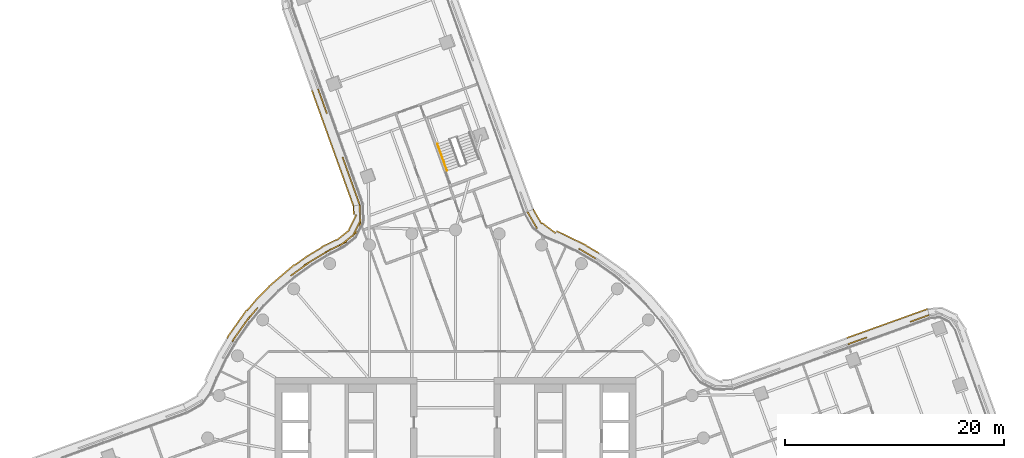
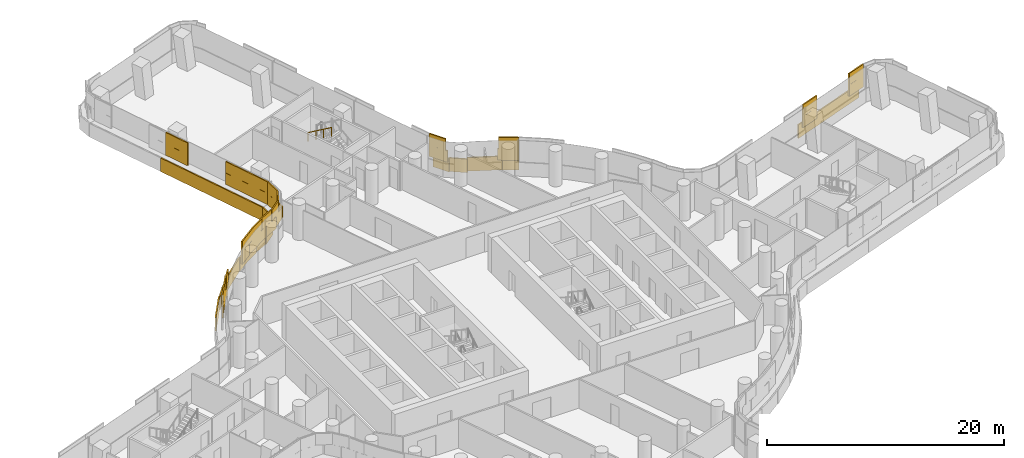
# One storey, part 29 of 30: 4 coverings, 1 railing.
"""IFC4 building model written with IfcOpenShell, lengths in metres."""

from ifc_helpers import new_model, si_unit, direction, frame, origin, origin_2d, place, context, subcontext, project, spatial, rectangle, circle, extrude, material, layer, layer_set, type_object, element, save


model = new_model("IFC4")

# Units and contexts
model_context = context("Model", 3, precision=1e-05, world=origin(), true_north=direction((0.0, 1.0)))
body_context = subcontext(model_context, "Body", "Model", "MODEL_VIEW")
ifc_project = project(units=[si_unit("LENGTHUNIT", "METRE"), si_unit("AREAUNIT", "SQUARE_METRE"), si_unit("VOLUMEUNIT", "CUBIC_METRE"), si_unit("PLANEANGLEUNIT", "RADIAN"), si_unit("MASSUNIT", "GRAM", prefix="KILO")], contexts=[model_context])

# Site, building, storey
site_placement = place(None, origin())
site = spatial("IfcSite", under=ifc_project, at=site_placement, CompositionType="ELEMENT")
building_placement = place(site_placement, origin())
building = spatial("IfcBuilding", under=site, at=building_placement, Name="Tamarind Cross Interchange Tower", CompositionType="ELEMENT")
storey_placement = place(building_placement, frame((0.0, 0.0, 106.0)))
storey = spatial("IfcBuildingStorey", under=building, at=storey_placement, Name="L25", CompositionType="ELEMENT", Elevation=106.0)

# Railing
ifc_material_1 = material(Name="Stair handrail")
railing_type = type_object("IfcRailingType", Name="Stair handrail", PredefinedType="HANDRAIL", material=ifc_material_1)
railing_placement = place(storey_placement, frame((-1.658447265625, 30.863525390625, 2.04541015625)))
element("IfcRailing", 1, at=railing_placement, inside=storey, type_object=railing_type, Name="L25 ST4 stair handrail 2", PredefinedType="HANDRAIL", context=body_context, shape_type="SweptSolid", body=[
    extrude(circle(Radius=0.02392578125, at=origin_2d()), frame((0.0, 0.0, 0.8759765625), z_axis=(0.284028229763, -0.786594077285, 0.548267929281), x_axis=(0.940561398365, 0.339623697503, 0.0)), (0.0, 0.0, 1.0), 3.109130859375),
    extrude(circle(Radius=0.02099609375, at=origin_2d()), origin(), (0.0, 0.0, 1.0), 0.851806640625),
    extrude(circle(Radius=0.02099609375, at=origin_2d()), frame((0.29443359375, -0.815185546875, 0.568115234375)), (0.0, 0.0, 1.0), 0.851806640625),
    extrude(circle(Radius=0.02099609375, at=origin_2d()), frame((0.588623046875, -1.63037109375, 1.136474609375)), (0.0, 0.0, 1.0), 0.851806640625),
    extrude(circle(Radius=0.02099609375, at=origin_2d()), frame((0.883056640625, -2.445556640625, 1.70458984375)), (0.0, 0.0, 1.0), 0.851806640625),
])

# Coverings
ifc_material_2 = material(Name="Terracotta", Category="masonry")
ifc_layer = layer(ifc_material_2, 0.1201171875)
ifc_layer_set = layer_set([ifc_layer], Name="Terracotta")
covering_type = type_object("IfcCoveringType", Name="Terracotta baguette screen unit", PredefinedType="MOLDING", material=ifc_layer_set)
covering_1_placement = place(storey_placement, origin())
element("IfcCovering", 2, at=covering_1_placement, inside=storey, type_object=covering_type, Name="SCR-L25-09-00", PredefinedType="MOLDING", context=body_context, shape_type="SweptSolid", body=[
    extrude(rectangle(XDim=0.760009765625, YDim=0.1201171875, at=origin_2d()), frame((42.922607421875, 15.09228515625, 1.404052734375), z_axis=(0.0, 0.0, 1.0), x_axis=(-0.941099800074, -0.338128919647, 0.0)), (0.0, 0.0, 1.0), 1.1669921875),
    extrude(rectangle(XDim=1.09326171875, YDim=0.1201171875, at=origin_2d()), frame((42.06005859375, 14.7822265625, 1.404052734375), z_axis=(0.0, 0.0, 1.0), x_axis=(-0.941099800074, -0.338128919647, 0.0)), (0.0, 0.0, 1.0), 1.1669921875),
    extrude(rectangle(XDim=0.726806640625, YDim=0.1201171875, at=origin_2d()), frame((37.260498046875, 13.057861328125, 1.404052734375), z_axis=(0.0, 0.0, 1.0), x_axis=(-0.941099800074, -0.338128919647, 0.0)), (0.0, 0.0, 1.0), 1.1669921875),
    extrude(rectangle(XDim=1.12646484375, YDim=0.1201171875, at=origin_2d()), frame((36.397705078125, 12.748046875, 1.404052734375), z_axis=(0.0, 0.0, 1.0), x_axis=(-0.941099800074, -0.338128919647, 0.0)), (0.0, 0.0, 1.0), 1.1669921875),
    extrude(rectangle(XDim=1.510009765625, YDim=0.1201171875, at=origin_2d()), frame((42.56982421875, 14.965576171875, 2.5791015625), z_axis=(0.0, 0.0, 1.0), x_axis=(-0.941099800074, -0.338128919647, 0.0)), (0.0, 0.0, 1.0), 1.1669921875),
    extrude(rectangle(XDim=0.34326171875, YDim=0.1201171875, at=origin_2d()), frame((41.70703125, 14.655517578125, 2.5791015625), z_axis=(0.0, 0.0, 1.0), x_axis=(-0.941099800074, -0.338128919647, 0.0)), (0.0, 0.0, 1.0), 1.1669921875),
    extrude(rectangle(XDim=1.476806640625, YDim=0.1201171875, at=origin_2d()), frame((36.907470703125, 12.93115234375, 2.5791015625), z_axis=(0.0, 0.0, 1.0), x_axis=(-0.941099800074, -0.338128919647, 0.0)), (0.0, 0.0, 1.0), 1.1669921875),
    extrude(rectangle(XDim=0.37646484375, YDim=0.1201171875, at=origin_2d()), frame((36.044921875, 12.62109375, 2.5791015625), z_axis=(0.0, 0.0, 1.0), x_axis=(-0.941099800074, -0.338128919647, 0.0)), (0.0, 0.0, 1.0), 1.1669921875),
    extrude(rectangle(XDim=0.760009765625, YDim=0.1201171875, at=origin_2d()), frame((42.794677734375, 15.65625, 0.00390625), z_axis=(0.0, 0.0, 1.0), x_axis=(-0.941099800074, -0.338128919647, 0.0)), (0.0, 0.0, 1.0), 1.39208984375),
    extrude(rectangle(XDim=1.52001953125, YDim=0.1201171875, at=origin_2d()), frame((41.740478515625, 15.27734375, 0.00390625), z_axis=(0.0, 0.0, 1.0), x_axis=(-0.941099800074, -0.338128919647, 0.0)), (0.0, 0.0, 1.0), 1.39208984375),
    extrude(rectangle(XDim=1.52001953125, YDim=0.1201171875, at=origin_2d()), frame((40.328857421875, 14.770263671875, 0.00390625), z_axis=(0.0, 0.0, 1.0), x_axis=(-0.941099800074, -0.338128919647, 0.0)), (0.0, 0.0, 1.0), 1.39208984375),
    extrude(rectangle(XDim=1.52001953125, YDim=0.1201171875, at=origin_2d()), frame((38.917236328125, 14.26318359375, 0.00390625), z_axis=(0.0, 0.0, 1.0), x_axis=(-0.941099800074, -0.338128919647, 0.0)), (0.0, 0.0, 1.0), 1.39208984375),
    extrude(rectangle(XDim=1.52001953125, YDim=0.1201171875, at=origin_2d()), frame((37.505615234375, 13.755859375, 0.00390625), z_axis=(0.0, 0.0, 1.0), x_axis=(-0.941099800074, -0.338128919647, 0.0)), (0.0, 0.0, 1.0), 1.39208984375),
    extrude(rectangle(XDim=1.11962890625, YDim=0.1201171875, at=origin_2d()), frame((36.2822265625, 13.31640625, 0.00390625), z_axis=(0.0, 0.0, 1.0), x_axis=(-0.941099800074, -0.338128919647, 0.0)), (0.0, 0.0, 1.0), 1.39208984375),
])
covering_2_placement = place(storey_placement, origin())
element("IfcCovering", 3, at=covering_2_placement, inside=storey, type_object=covering_type, Name="SCR-L25-10-01", PredefinedType="MOLDING", context=body_context, shape_type="SweptSolid", body=[
    extrude(rectangle(XDim=0.937744140625, YDim=0.1201171875, at=origin_2d()), frame((12.394775390625, 20.62890625, 1.404052734375), z_axis=(0.0, 0.0, 1.0), x_axis=(-0.861248933065, 0.508183308752, 0.0)), (0.0, 0.0, 1.0), 1.1669921875),
    extrude(rectangle(XDim=0.85595703125, YDim=0.1201171875, at=origin_2d()), frame((11.630859375, 21.07958984375, 1.404052734375), z_axis=(0.0, 0.0, 1.0), x_axis=(-0.861248933065, 0.508183308752, 0.0)), (0.0, 0.0, 1.0), 1.1669921875),
    extrude(rectangle(XDim=0.9638671875, YDim=0.1201171875, at=origin_2d()), frame((7.216064453125, 23.53369140625, 1.404052734375), z_axis=(0.0, 0.0, 1.0), x_axis=(-0.500591596881, 0.86568357564, 0.0)), (0.0, 0.0, 1.0), 1.1669921875),
    extrude(rectangle(XDim=0.829833984375, YDim=0.1201171875, at=origin_2d()), frame((6.77490234375, 24.302978515625, 1.404052734375), z_axis=(0.0, 0.0, 1.0), x_axis=(-0.483040950058, 0.875597761856, 0.0)), (0.0, 0.0, 1.0), 1.1669921875),
    extrude(rectangle(XDim=0.187744140625, YDim=0.1201171875, at=origin_2d()), frame((12.7177734375, 20.438232421875, 2.5791015625), z_axis=(0.0, 0.0, 1.0), x_axis=(-0.861248933065, 0.508183308752, 0.0)), (0.0, 0.0, 1.0), 1.1669921875),
    extrude(rectangle(XDim=1.52001953125, YDim=0.1201171875, at=origin_2d()), frame((11.995361328125, 20.86474609375, 2.5791015625), z_axis=(0.0, 0.0, 1.0), x_axis=(-0.861248933065, 0.508183308752, 0.0)), (0.0, 0.0, 1.0), 1.1669921875),
    extrude(rectangle(XDim=1.52001953125, YDim=0.1201171875, at=origin_2d()), frame((6.977294921875, 23.946533203125, 2.5791015625), z_axis=(0.0, 0.0, 1.0), x_axis=(-0.500591596881, 0.86568357564, 0.0)), (0.0, 0.0, 1.0), 1.1669921875),
    extrude(rectangle(XDim=0.079833984375, YDim=0.1201171875, at=origin_2d()), frame((6.59375, 24.63134765625, 2.5791015625), z_axis=(0.0, 0.0, 1.0), x_axis=(-0.483040950058, 0.875597761856, 0.0)), (0.0, 0.0, 1.0), 1.1669921875),
    extrude(rectangle(XDim=1.37744140625, YDim=0.1201171875, at=origin_2d()), frame((12.50634765625, 21.2294921875, 0.00390625), z_axis=(0.0, 0.0, 1.0), x_axis=(-0.861248933065, 0.508183308752, 0.0)), (0.0, 0.0, 1.0), 1.39208984375),
    extrude(rectangle(XDim=1.52001953125, YDim=0.1201171875, at=origin_2d()), frame((11.25927734375, 21.924560546875, 0.00390625), z_axis=(0.0, 0.0, 1.0), x_axis=(-0.900272776334, 0.435326231914, 0.0)), (0.0, 0.0, 1.0), 1.39208984375),
    extrude(rectangle(XDim=1.52001953125, YDim=0.1201171875, at=origin_2d()), frame((9.908935546875, 22.577392578125, 0.00390625), z_axis=(0.0, 0.0, 1.0), x_axis=(-0.900272776334, 0.435326231914, 0.0)), (0.0, 0.0, 1.0), 1.39208984375),
    extrude(rectangle(XDim=1.52001953125, YDim=0.1201171875, at=origin_2d()), frame((8.53125, 23.169189453125, 0.00390625), z_axis=(0.0, 0.0, 1.0), x_axis=(-0.795747942698, 0.605627948242, 0.0)), (0.0, 0.0, 1.0), 1.39208984375),
    extrude(rectangle(XDim=1.52001953125, YDim=0.1201171875, at=origin_2d()), frame((7.488037109375, 24.2099609375, 0.00390625), z_axis=(0.0, 0.0, 1.0), x_axis=(-0.500591596881, 0.86568357564, 0.0)), (0.0, 0.0, 1.0), 1.39208984375),
    extrude(rectangle(XDim=0.050537109375, YDim=0.1201171875, at=origin_2d()), frame((7.113525390625, 24.87744140625, 0.00390625), z_axis=(0.0, 0.0, 1.0), x_axis=(-0.483040950058, 0.875597761856, 0.0)), (0.0, 0.0, 1.0), 1.39208984375),
])
covering_3_placement = place(storey_placement, origin())
element("IfcCovering", 4, at=covering_3_placement, inside=storey, type_object=covering_type, Name="SCR-L25-13-01", PredefinedType="MOLDING", context=body_context, shape_type="SweptSolid", body=[
    extrude(rectangle(XDim=0.3935546875, YDim=0.1201171875, at=origin_2d()), frame((-12.494384765625, 35.69189453125, 1.404052734375), z_axis=(0.0, 0.0, 1.0), x_axis=(0.338128919647, -0.941099800074, 0.0)), (0.0, 0.0, 1.0), 1.1669921875),
    extrude(rectangle(XDim=1.52001953125, YDim=0.1201171875, at=origin_2d()), frame((-12.17578125, 34.8056640625, 1.404052734375), z_axis=(0.0, 0.0, 1.0), x_axis=(0.338128919647, -0.941099800074, 0.0)), (0.0, 0.0, 1.0), 1.1669921875),
    extrude(rectangle(XDim=0.52587890625, YDim=0.1201171875, at=origin_2d()), frame((-11.835205078125, 33.857177734375, 1.404052734375), z_axis=(0.0, 0.0, 1.0), x_axis=(0.338128919647, -0.941099800074, 0.0)), (0.0, 0.0, 1.0), 1.1669921875),
    extrude(rectangle(XDim=1.294189453125, YDim=0.1201171875, at=origin_2d()), frame((-10.110595703125, 29.0576171875, 1.404052734375), z_axis=(0.0, 0.0, 1.0), x_axis=(0.338128919647, -0.941099800074, 0.0)), (0.0, 0.0, 1.0), 1.1669921875),
    extrude(rectangle(XDim=1.52001953125, YDim=0.1201171875, at=origin_2d()), frame((-9.639892578125, 27.747314453125, 1.404052734375), z_axis=(0.0, 0.0, 1.0), x_axis=(0.338128919647, -0.941099800074, 0.0)), (0.0, 0.0, 1.0), 1.1669921875),
    extrude(rectangle(XDim=1.52001953125, YDim=0.1201171875, at=origin_2d()), frame((-9.1328125, 26.335693359375, 1.404052734375), z_axis=(0.0, 0.0, 1.0), x_axis=(0.338128919647, -0.941099800074, 0.0)), (0.0, 0.0, 1.0), 1.1669921875),
    extrude(rectangle(XDim=0.37255859375, YDim=0.1201171875, at=origin_2d()), frame((-8.81787109375, 25.459228515625, 1.404052734375), z_axis=(0.0, 0.0, 1.0), x_axis=(0.338128919647, -0.941099800074, 0.0)), (0.0, 0.0, 1.0), 1.1669921875),
    extrude(rectangle(XDim=1.1435546875, YDim=0.1201171875, at=origin_2d()), frame((-12.367431640625, 35.339111328125, 2.5791015625), z_axis=(0.0, 0.0, 1.0), x_axis=(0.338128919647, -0.941099800074, 0.0)), (0.0, 0.0, 1.0), 1.1669921875),
    extrude(rectangle(XDim=1.27587890625, YDim=0.1201171875, at=origin_2d()), frame((-11.9619140625, 34.2099609375, 2.5791015625), z_axis=(0.0, 0.0, 1.0), x_axis=(0.338128919647, -0.941099800074, 0.0)), (0.0, 0.0, 1.0), 1.1669921875),
    extrude(rectangle(XDim=0.544189453125, YDim=0.1201171875, at=origin_2d()), frame((-10.237548828125, 29.410400390625, 2.5791015625), z_axis=(0.0, 0.0, 1.0), x_axis=(0.338128919647, -0.941099800074, 0.0)), (0.0, 0.0, 1.0), 1.1669921875),
    extrude(rectangle(XDim=1.52001953125, YDim=0.1201171875, at=origin_2d()), frame((-9.8935546875, 28.453369140625, 2.5791015625), z_axis=(0.0, 0.0, 1.0), x_axis=(0.338128919647, -0.941099800074, 0.0)), (0.0, 0.0, 1.0), 1.1669921875),
    extrude(rectangle(XDim=1.52001953125, YDim=0.1201171875, at=origin_2d()), frame((-9.38623046875, 27.04150390625, 2.5791015625), z_axis=(0.0, 0.0, 1.0), x_axis=(0.338128919647, -0.941099800074, 0.0)), (0.0, 0.0, 1.0), 1.1669921875),
    extrude(rectangle(XDim=1.12255859375, YDim=0.1201171875, at=origin_2d()), frame((-8.944580078125, 25.812255859375, 2.5791015625), z_axis=(0.0, 0.0, 1.0), x_axis=(0.338128919647, -0.941099800074, 0.0)), (0.0, 0.0, 1.0), 1.1669921875),
    extrude(rectangle(XDim=0.400390625, YDim=0.1201171875, at=origin_2d()), frame((-13.059326171875, 35.567138671875, 0.00390625), z_axis=(0.0, 0.0, 1.0), x_axis=(0.338128919647, -0.941099800074, 0.0)), (0.0, 0.0, 1.0), 1.39208984375),
    extrude(rectangle(XDim=1.52001953125, YDim=0.1201171875, at=origin_2d()), frame((-12.741455078125, 34.682373046875, 0.00390625), z_axis=(0.0, 0.0, 1.0), x_axis=(0.338128919647, -0.941099800074, 0.0)), (0.0, 0.0, 1.0), 1.39208984375),
    extrude(rectangle(XDim=1.52001953125, YDim=0.1201171875, at=origin_2d()), frame((-12.234375, 33.270751953125, 0.00390625), z_axis=(0.0, 0.0, 1.0), x_axis=(0.338128919647, -0.941099800074, 0.0)), (0.0, 0.0, 1.0), 1.39208984375),
    extrude(rectangle(XDim=1.52001953125, YDim=0.1201171875, at=origin_2d()), frame((-11.72705078125, 31.85888671875, 0.00390625), z_axis=(0.0, 0.0, 1.0), x_axis=(0.338128919647, -0.941099800074, 0.0)), (0.0, 0.0, 1.0), 1.39208984375),
    extrude(rectangle(XDim=1.52001953125, YDim=0.1201171875, at=origin_2d()), frame((-11.219970703125, 30.447265625, 0.00390625), z_axis=(0.0, 0.0, 1.0), x_axis=(0.338128919647, -0.941099800074, 0.0)), (0.0, 0.0, 1.0), 1.39208984375),
    extrude(rectangle(XDim=1.52001953125, YDim=0.1201171875, at=origin_2d()), frame((-10.712646484375, 29.03564453125, 0.00390625), z_axis=(0.0, 0.0, 1.0), x_axis=(0.338128919647, -0.941099800074, 0.0)), (0.0, 0.0, 1.0), 1.39208984375),
    extrude(rectangle(XDim=1.52001953125, YDim=0.1201171875, at=origin_2d()), frame((-10.20556640625, 27.6240234375, 0.00390625), z_axis=(0.0, 0.0, 1.0), x_axis=(0.338128919647, -0.941099800074, 0.0)), (0.0, 0.0, 1.0), 1.39208984375),
    extrude(rectangle(XDim=1.52001953125, YDim=0.1201171875, at=origin_2d()), frame((-9.6982421875, 26.21240234375, 0.00390625), z_axis=(0.0, 0.0, 1.0), x_axis=(0.338128919647, -0.941099800074, 0.0)), (0.0, 0.0, 1.0), 1.39208984375),
    extrude(rectangle(XDim=0.356201171875, YDim=0.1201171875, at=origin_2d()), frame((-9.387939453125, 25.348388671875, 0.00390625), z_axis=(0.0, 0.0, 1.0), x_axis=(0.338128919647, -0.941099800074, 0.0)), (0.0, 0.0, 1.0), 1.39208984375),
])
covering_4_placement = place(storey_placement, origin())
element("IfcCovering", 5, at=covering_4_placement, inside=storey, type_object=covering_type, Name="SCR-L25-14-00", PredefinedType="MOLDING", context=body_context, shape_type="SweptSolid", body=[
    extrude(rectangle(XDim=0.760009765625, YDim=0.1201171875, at=origin_2d()), frame((-8.745849609375, 24.913818359375, 1.404052734375), z_axis=(0.0, 0.0, 1.0), x_axis=(0.028447277975, -0.999595294295, 0.0)), (0.0, 0.0, 1.0), 1.1669921875),
    extrude(rectangle(XDim=1.52001953125, YDim=0.1201171875, at=origin_2d()), frame((-8.7138671875, 23.789306640625, 1.404052734375), z_axis=(0.0, 0.0, 1.0), x_axis=(0.028447277975, -0.999595294295, 0.0)), (0.0, 0.0, 1.0), 1.1669921875),
    extrude(rectangle(XDim=1.52001953125, YDim=0.1201171875, at=origin_2d()), frame((-9.41845703125, 22.476806640625, 1.404052734375), z_axis=(0.0, 0.0, 1.0), x_axis=(-0.779967816426, -0.625819626842, 0.0)), (0.0, 0.0, 1.0), 1.1669921875),
    extrude(rectangle(XDim=1.52001953125, YDim=0.1201171875, at=origin_2d()), frame((-10.624755859375, 21.59521484375, 1.404052734375), z_axis=(0.0, 0.0, 1.0), x_axis=(-0.89561744741, -0.444825120575, 0.0)), (0.0, 0.0, 1.0), 1.1669921875),
    extrude(rectangle(XDim=1.52001953125, YDim=0.1201171875, at=origin_2d()), frame((-11.950439453125, 20.8955078125, 1.404052734375), z_axis=(0.0, 0.0, 1.0), x_axis=(-0.856843065292, -0.515577308909, 0.0)), (0.0, 0.0, 1.0), 1.1669921875),
    extrude(rectangle(XDim=1.52001953125, YDim=0.1201171875, at=origin_2d()), frame((-13.235595703125, 20.1220703125, 1.404052734375), z_axis=(0.0, 0.0, 1.0), x_axis=(-0.856843065292, -0.515577308909, 0.0)), (0.0, 0.0, 1.0), 1.1669921875),
    extrude(rectangle(XDim=1.52001953125, YDim=0.1201171875, at=origin_2d()), frame((-14.453857421875, 19.247314453125, 1.404052734375), z_axis=(0.0, 0.0, 1.0), x_axis=(-0.811340475102, -0.584573890505, 0.0)), (0.0, 0.0, 1.0), 1.1669921875),
    extrude(rectangle(XDim=1.52001953125, YDim=0.1201171875, at=origin_2d()), frame((-18.75439453125, 15.088623046875, 1.404052734375), z_axis=(0.0, 0.0, 1.0), x_axis=(-0.643009266048, -0.765858396687, 0.0)), (0.0, 0.0, 1.0), 1.1669921875),
    extrude(rectangle(XDim=1.52001953125, YDim=0.1201171875, at=origin_2d()), frame((-19.653076171875, 13.888916015625, 1.404052734375), z_axis=(0.0, 0.0, 1.0), x_axis=(-0.577568978284, -0.816341886298, 0.0)), (0.0, 0.0, 1.0), 1.1669921875),
    extrude(rectangle(XDim=0.582275390625, YDim=0.1201171875, at=origin_2d()), frame((-20.247802734375, 13.040771484375, 1.404052734375), z_axis=(0.0, 0.0, 1.0), x_axis=(-0.508183308752, -0.861248933065, 0.0)), (0.0, 0.0, 1.0), 1.1669921875),
    extrude(rectangle(XDim=1.510009765625, YDim=0.1201171875, at=origin_2d()), frame((-8.735107421875, 24.5390625, 2.5791015625), z_axis=(0.0, 0.0, 1.0), x_axis=(0.028447277975, -0.999595294295, 0.0)), (0.0, 0.0, 1.0), 1.1669921875),
    extrude(rectangle(XDim=1.52001953125, YDim=0.1201171875, at=origin_2d()), frame((-9.0458984375, 23.1181640625, 2.5791015625), z_axis=(0.0, 0.0, 1.0), x_axis=(-0.448846008017, -0.893609120974, 0.0)), (0.0, 0.0, 1.0), 1.1669921875),
    extrude(rectangle(XDim=1.52001953125, YDim=0.1201171875, at=origin_2d()), frame((-10.00341796875, 22.007568359375, 2.5791015625), z_axis=(0.0, 0.0, 1.0), x_axis=(-0.779967816426, -0.625819626842, 0.0)), (0.0, 0.0, 1.0), 1.1669921875),
    extrude(rectangle(XDim=1.52001953125, YDim=0.1201171875, at=origin_2d()), frame((-11.296630859375, 21.26171875, 2.5791015625), z_axis=(0.0, 0.0, 1.0), x_axis=(-0.89561744741, -0.444825120575, 0.0)), (0.0, 0.0, 1.0), 1.1669921875),
    extrude(rectangle(XDim=1.52001953125, YDim=0.1201171875, at=origin_2d()), frame((-12.593017578125, 20.5087890625, 2.5791015625), z_axis=(0.0, 0.0, 1.0), x_axis=(-0.856843065292, -0.515577308909, 0.0)), (0.0, 0.0, 1.0), 1.1669921875),
    extrude(rectangle(XDim=1.52001953125, YDim=0.1201171875, at=origin_2d()), frame((-13.845458984375, 19.685546875, 2.5791015625), z_axis=(0.0, 0.0, 1.0), x_axis=(-0.811340475102, -0.584573890505, 0.0)), (0.0, 0.0, 1.0), 1.1669921875),
    extrude(rectangle(XDim=0.76220703125, YDim=0.1201171875, at=origin_2d()), frame((-14.759033203125, 19.02734375, 2.5791015625), z_axis=(0.0, 0.0, 1.0), x_axis=(-0.811340475102, -0.584573890505, 0.0)), (0.0, 0.0, 1.0), 1.1669921875),
    extrude(rectangle(XDim=1.057861328125, YDim=0.1201171875, at=origin_2d()), frame((-18.417724609375, 15.489990234375, 2.5791015625), z_axis=(0.0, 0.0, 1.0), x_axis=(-0.643009266048, -0.765858396687, 0.0)), (0.0, 0.0, 1.0), 1.1669921875),
    extrude(rectangle(XDim=1.52001953125, YDim=0.1201171875, at=origin_2d()), frame((-19.219970703125, 14.501220703125, 2.5791015625), z_axis=(0.0, 0.0, 1.0), x_axis=(-0.577568978284, -0.816341886298, 0.0)), (0.0, 0.0, 1.0), 1.1669921875),
    extrude(rectangle(XDim=1.332275390625, YDim=0.1201171875, at=origin_2d()), frame((-20.034912109375, 13.349365234375, 2.5791015625), z_axis=(0.0, 0.0, 1.0), x_axis=(-0.577568978284, -0.816341886298, 0.0)), (0.0, 0.0, 1.0), 1.1669921875),
    extrude(rectangle(XDim=0.760009765625, YDim=0.1201171875, at=origin_2d()), frame((-9.31689453125, 24.801025390625, 0.00390625), z_axis=(0.0, 0.0, 1.0), x_axis=(0.028447277975, -0.999595294295, 0.0)), (0.0, 0.0, 1.0), 1.39208984375),
    extrude(rectangle(XDim=1.52001953125, YDim=0.1201171875, at=origin_2d()), frame((-9.39306640625, 23.70556640625, 0.00390625), z_axis=(0.0, 0.0, 1.0), x_axis=(-0.448846008017, -0.893609120974, 0.0)), (0.0, 0.0, 1.0), 1.39208984375),
    extrude(rectangle(XDim=1.52001953125, YDim=0.1201171875, at=origin_2d()), frame((-10.27001953125, 22.529541015625, 0.00390625), z_axis=(0.0, 0.0, 1.0), x_axis=(-0.779967816426, -0.625819626842, 0.0)), (0.0, 0.0, 1.0), 1.39208984375),
    extrude(rectangle(XDim=1.52001953125, YDim=0.1201171875, at=origin_2d()), frame((-11.556640625, 21.7734375, 0.00390625), z_axis=(0.0, 0.0, 1.0), x_axis=(-0.89561744741, -0.444825120575, 0.0)), (0.0, 0.0, 1.0), 1.39208984375),
    extrude(rectangle(XDim=1.52001953125, YDim=0.1201171875, at=origin_2d()), frame((-12.853759765625, 21.021728515625, 0.00390625), z_axis=(0.0, 0.0, 1.0), x_axis=(-0.856843065292, -0.515577308909, 0.0)), (0.0, 0.0, 1.0), 1.39208984375),
    extrude(rectangle(XDim=1.52001953125, YDim=0.1201171875, at=origin_2d()), frame((-14.109130859375, 20.203125, 0.00390625), z_axis=(0.0, 0.0, 1.0), x_axis=(-0.811340475102, -0.584573890505, 0.0)), (0.0, 0.0, 1.0), 1.39208984375),
    extrude(rectangle(XDim=1.52001953125, YDim=0.1201171875, at=origin_2d()), frame((-15.320068359375, 19.318603515625, 0.00390625), z_axis=(0.0, 0.0, 1.0), x_axis=(-0.760295606781, -0.64957723968, 0.0)), (0.0, 0.0, 1.0), 1.39208984375),
    extrude(rectangle(XDim=1.52001953125, YDim=0.1201171875, at=origin_2d()), frame((-16.46044921875, 18.34423828125, 0.00390625), z_axis=(0.0, 0.0, 1.0), x_axis=(-0.760295606781, -0.64957723968, 0.0)), (0.0, 0.0, 1.0), 1.39208984375),
    extrude(rectangle(XDim=1.52001953125, YDim=0.1201171875, at=origin_2d()), frame((-17.540283203125, 17.304443359375, 0.00390625), z_axis=(0.0, 0.0, 1.0), x_axis=(-0.704057148523, -0.710143317658, 0.0)), (0.0, 0.0, 1.0), 1.39208984375),
    extrude(rectangle(XDim=1.52001953125, YDim=0.1201171875, at=origin_2d()), frame((-18.563232421875, 16.209228515625, 0.00390625), z_axis=(0.0, 0.0, 1.0), x_axis=(-0.643009266048, -0.765858396687, 0.0)), (0.0, 0.0, 1.0), 1.39208984375),
    extrude(rectangle(XDim=1.52001953125, YDim=0.1201171875, at=origin_2d()), frame((-19.527587890625, 15.06005859375, 0.00390625), z_axis=(0.0, 0.0, 1.0), x_axis=(-0.577568978284, -0.816341886298, 0.0)), (0.0, 0.0, 1.0), 1.39208984375),
    extrude(rectangle(XDim=1.52001953125, YDim=0.1201171875, at=origin_2d()), frame((-20.39404296875, 13.835693359375, 0.00390625), z_axis=(0.0, 0.0, 1.0), x_axis=(-0.577568978284, -0.816341886298, 0.0)), (0.0, 0.0, 1.0), 1.39208984375),
    extrude(rectangle(XDim=0.142578125, YDim=0.1201171875, at=origin_2d()), frame((-20.84326171875, 13.160888671875, 0.00390625), z_axis=(0.0, 0.0, 1.0), x_axis=(-0.508183308752, -0.861248933065, 0.0)), (0.0, 0.0, 1.0), 1.39208984375),
])

save(model, "model.ifc")
